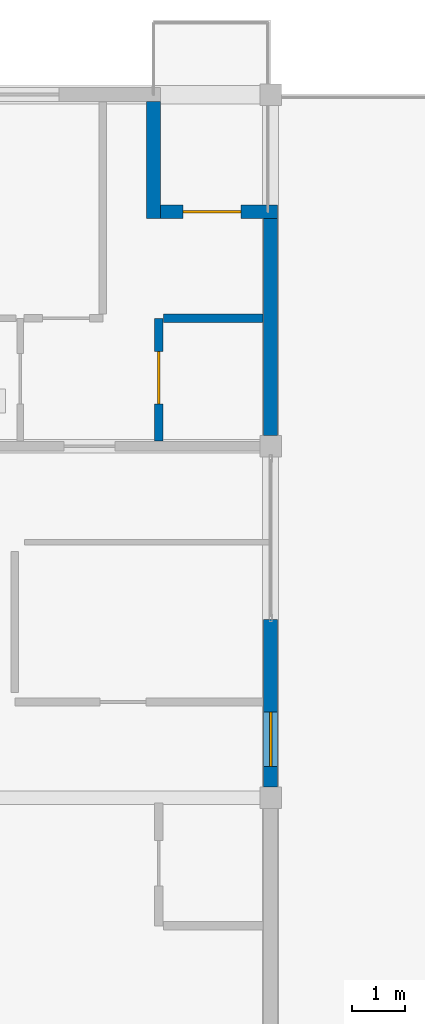
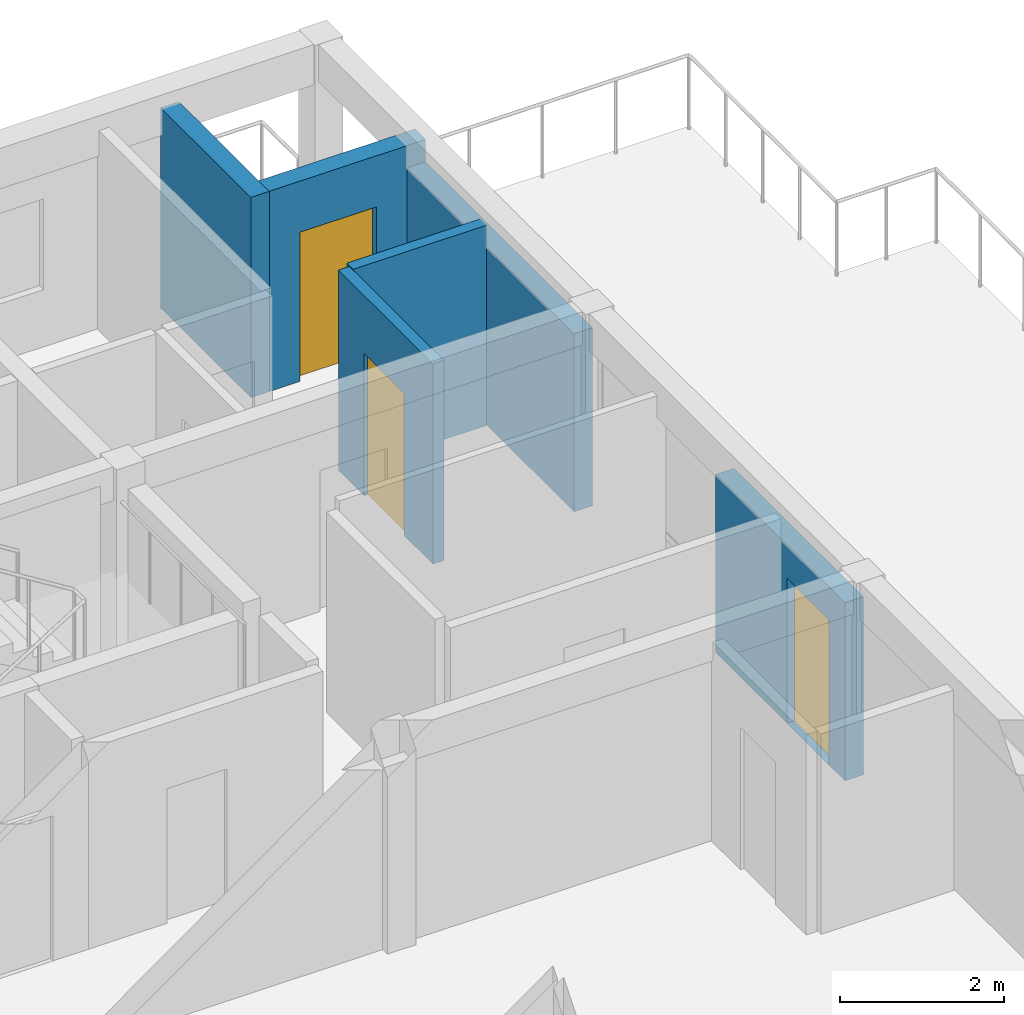
# One storey, part 15 of 22: 6 walls, 3 doors, 3 openings.
"""IFC4 building model written with IfcOpenShell, lengths in metres."""

from ifc_helpers import new_model, si_unit, direction, frame, frame_2d, origin, place, context, subcontext, project, spatial, rectangle, extrude, material, layer, layer_set, type_object, element, fill, save


model = new_model("IFC4")

# Units and contexts
model_context = context("Model", 3, precision=1e-05, world=origin(), true_north=direction((0.0, 1.0)))
body_context = subcontext(model_context, "Body", "Model", "MODEL_VIEW")
ifc_project = project(units=[si_unit("LENGTHUNIT", "METRE"), si_unit("AREAUNIT", "SQUARE_METRE"), si_unit("VOLUMEUNIT", "CUBIC_METRE"), si_unit("PLANEANGLEUNIT", "RADIAN"), si_unit("MASSUNIT", "GRAM", prefix="KILO")], contexts=[model_context])

# Site, building, storey
site_placement = place(None, origin())
site = spatial("IfcSite", under=ifc_project, at=site_placement, CompositionType="ELEMENT")
building_placement = place(site_placement, origin())
building = spatial("IfcBuilding", under=site, at=building_placement, Name="Kernevlak Ridge Housing Community", CompositionType="ELEMENT")
storey_placement = place(building_placement, frame((0.0, 0.0, 43.60009765625)))
storey = spatial("IfcBuildingStorey", under=building, at=storey_placement, Name="L13", CompositionType="ELEMENT", Elevation=43.60009765625)

# Wall
ifc_material_1 = material(Name="Concrete block masonry M10", Category="masonry")
ifc_layer_1 = layer(ifc_material_1, 0.260009765625, Name="Concrete block masonry M10")
ifc_layer_set_1 = layer_set([ifc_layer_1], Name="Concrete block masonry M10")
wall_type_1 = type_object("IfcWallType", Name="EW-05", PredefinedType="STANDARD", material=ifc_layer_set_1)
wall_1_placement = place(storey_placement, frame((143.60009765625, 102.27001953125, 0.0), z_axis=(0.0, 0.0, 1.0), x_axis=(0.0, -1.0, 0.0)))
element("IfcWall", 1, at=wall_1_placement, inside=storey, type_object=wall_type_1, Name="Exterior wall EW-05 L13 507", PredefinedType="STANDARD", context=body_context, shape_type="SweptSolid", body=[
    extrude(rectangle(XDim=2.199951171875, YDim=0.260009765625, at=frame_2d((1.10009765625, 0.0))), origin(), (0.0, 0.0, 1.0), 2.97998046875),
])

# Wall, opening, door
wall_2_placement = place(storey_placement, frame((143.72998046875, 100.199951171875, 0.0), z_axis=(0.0, 0.0, 1.0), x_axis=(1.0, 0.0, 0.0)))
wall_2 = element("IfcWall", 2, at=wall_2_placement, inside=storey, type_object=wall_type_1, Name="Exterior wall EW-05 L13 508", PredefinedType="STANDARD", context=body_context, shape_type="SweptSolid", body=[
    extrude(rectangle(XDim=2.199951171875, YDim=0.260009765625, at=frame_2d((1.10009765625, 0.0))), origin(), (0.0, 0.0, 1.0), 2.97998046875),
])
opening_1_placement = place(wall_2_placement, frame((0.429931640625, 0.0, 0.0)))
opening_1 = element("IfcOpeningElement", 3, at=opening_1_placement, cuts=wall_2, Name="Opening E025", PredefinedType="OPENING", context=body_context, shape_type="SweptSolid", body=[
    extrude(rectangle(XDim=1.080078125, YDim=2.219970703125, at=frame_2d((0.5400390625, 1.10986328125))), frame((0.0, 0.139892578125, 0.0), z_axis=(0.0, -1.0, 0.0), x_axis=(1.0, 0.0, 0.0)), (0.0, 0.0, 1.0), 0.280029296875),
])
ifc_material_2 = material(Name="Aluminium EN AW-6060 and laminated safety glass", Category="aluminium")
door_type_1 = type_object("IfcDoorType", Name="DT-34", OperationType="NOTDEFINED", PredefinedType="DOOR", material=ifc_material_2)
door_1_placement = place(opening_1_placement, origin())
door_1 = element("IfcDoor", 4, at=door_1_placement, inside=storey, type_object=door_type_1, Name="Flat B1323 corner balcony glazed door E025", OperationType="SINGLE_SWING_RIGHT", OverallHeight=2.219970703125, OverallWidth=1.080078125, PredefinedType="DOOR", context=body_context, shape_type="SweptSolid", body=[
    extrude(rectangle(XDim=1.080078125, YDim=2.219970703125, at=frame_2d((0.5400390625, 1.10986328125))), frame((0.0, 0.02490234375, 0.0), z_axis=(0.0, -1.0, 0.0), x_axis=(1.0, 0.0, 0.0)), (0.0, 0.0, 1.0), 0.050048828125),
])
fill(opening_1, door_1)

wall_3_placement = place(storey_placement, frame((145.800048828125, 89.39990234375, 0.0), z_axis=(0.0, 0.0, 1.0), x_axis=(0.0, 1.0, 0.0)))
wall_3 = element("IfcWall", 5, at=wall_3_placement, inside=storey, type_object=wall_type_1, Name="Exterior wall EW-05 L13 512", PredefinedType="STANDARD", context=body_context, shape_type="SweptSolid", body=[
    extrude(rectangle(XDim=3.150146484375, YDim=0.260009765625, at=frame_2d((1.5751953125, 0.0))), origin(), (0.0, 0.0, 1.0), 2.64990234375),
])
opening_2_placement = place(wall_3_placement, frame((0.389892578125, 0.0, 0.0)))
opening_2 = element("IfcOpeningElement", 6, at=opening_2_placement, cuts=wall_3, Name="Opening D998", PredefinedType="OPENING", context=body_context, shape_type="SweptSolid", body=[
    extrude(rectangle(XDim=1.02001953125, YDim=2.159912109375, at=frame_2d((0.510009765625, 1.080078125))), frame((0.0, 0.139892578125, 0.0), z_axis=(0.0, -1.0, 0.0), x_axis=(1.0, 0.0, 0.0)), (0.0, 0.0, 1.0), 0.280029296875),
])
door_type_2 = type_object("IfcDoorType", Name="DT-33", OperationType="NOTDEFINED", PredefinedType="DOOR", material=ifc_material_2)
door_2_placement = place(opening_2_placement, origin())
door_2 = element("IfcDoor", 7, at=door_2_placement, inside=storey, type_object=door_type_2, Name="Block B L13 setback terrace glazed door D998", OperationType="SINGLE_SWING_RIGHT", OverallHeight=2.159912109375, OverallWidth=1.02001953125, PredefinedType="DOOR", context=body_context, shape_type="SweptSolid", body=[
    extrude(rectangle(XDim=1.02001953125, YDim=2.159912109375, at=frame_2d((0.510009765625, 1.080078125))), frame((0.0, 0.02490234375, 0.0), z_axis=(0.0, -1.0, 0.0), x_axis=(1.0, 0.0, 0.0)), (0.0, 0.0, 1.0), 0.050048828125),
])
fill(opening_2, door_2)

# Wall
wall_4_placement = place(storey_placement, frame((145.800048828125, 96.0, 0.0), z_axis=(0.0, 0.0, 1.0), x_axis=(0.0, 1.0, 0.0)))
element("IfcWall", 8, at=wall_4_placement, inside=storey, type_object=wall_type_1, Name="Exterior wall EW-05 L13 513", PredefinedType="STANDARD", context=body_context, shape_type="SweptSolid", body=[
    extrude(rectangle(XDim=4.070068359375, YDim=0.260009765625, at=frame_2d((2.03515625, 0.0))), origin(), (0.0, 0.0, 1.0), 2.64990234375),
])

# Wall, opening, door
ifc_material_3 = material(Name="Gypsum plasterboard EN 520", Category="gypsum")
ifc_layer_2 = layer(ifc_material_3, 0.155029296875, Name="Gypsum plasterboard EN 520")
ifc_layer_set_2 = layer_set([ifc_layer_2], Name="Gypsum plasterboard EN 520")
wall_type_2 = type_object("IfcWallType", Name="PW-05", PredefinedType="PARTITIONING", material=ifc_layer_set_2)
wall_5_placement = place(storey_placement, frame((143.699951171875, 95.8974609375, 0.0), z_axis=(0.0, 0.0, 1.0), x_axis=(0.0, 1.0, 0.0)))
wall_5 = element("IfcWall", 9, at=wall_5_placement, inside=storey, type_object=wall_type_2, Name="Interior wall PW-05 WAL-INT-L13-2015", PredefinedType="PARTITIONING", context=body_context, shape_type="SweptSolid", body=[
    extrude(rectangle(XDim=2.302490234375, YDim=0.155029296875, at=frame_2d((1.1513671875, 0.0))), origin(), (0.0, 0.0, 1.0), 2.97998046875),
])
opening_3_placement = place(wall_5_placement, frame((0.699951171875, 0.0, 0.0)))
opening_3 = element("IfcOpeningElement", 10, at=opening_3_placement, cuts=wall_5, Name="Opening E023", PredefinedType="OPENING", context=body_context, shape_type="SweptSolid", body=[
    extrude(rectangle(XDim=0.97998046875, YDim=2.1201171875, at=frame_2d((0.489990234375, 1.06005859375))), frame((0.0, 0.08740234375, 0.0), z_axis=(0.0, -1.0, 0.0), x_axis=(1.0, 0.0, 0.0)), (0.0, 0.0, 1.0), 0.175048828125),
])
ifc_material_4 = material(Name="Hardwood timber leaf", Category="wood")
door_type_3 = type_object("IfcDoorType", Name="DT-24", OperationType="NOTDEFINED", PredefinedType="DOOR", material=ifc_material_4)
door_3_placement = place(opening_3_placement, origin())
door_3 = element("IfcDoor", 11, at=door_3_placement, inside=storey, type_object=door_type_3, Name="Flat B1323 kitchen door E023", OperationType="SINGLE_SWING_RIGHT", OverallHeight=2.1201171875, OverallWidth=0.97998046875, PredefinedType="DOOR", context=body_context, shape_type="SweptSolid", body=[
    extrude(rectangle(XDim=0.97998046875, YDim=2.1201171875, at=frame_2d((0.489990234375, 1.06005859375))), frame((0.0, 0.02490234375, 0.0), z_axis=(0.0, -1.0, 0.0), x_axis=(1.0, 0.0, 0.0)), (0.0, 0.0, 1.0), 0.050048828125),
])
fill(opening_3, door_3)

# Wall
wall_6_placement = place(storey_placement, frame((143.78759765625, 98.199951171875, 0.0), z_axis=(0.0, 0.0, 1.0), x_axis=(1.0, 0.0, 0.0)))
element("IfcWall", 12, at=wall_6_placement, inside=storey, type_object=wall_type_2, Name="Interior wall PW-05 WAL-INT-L13-2016", PredefinedType="PARTITIONING", context=body_context, shape_type="SweptSolid", body=[
    extrude(rectangle(XDim=1.872314453125, YDim=0.155029296875, at=frame_2d((0.93603515625, 0.0))), origin(), (0.0, 0.0, 1.0), 2.97998046875),
])

save(model, "model.ifc")
